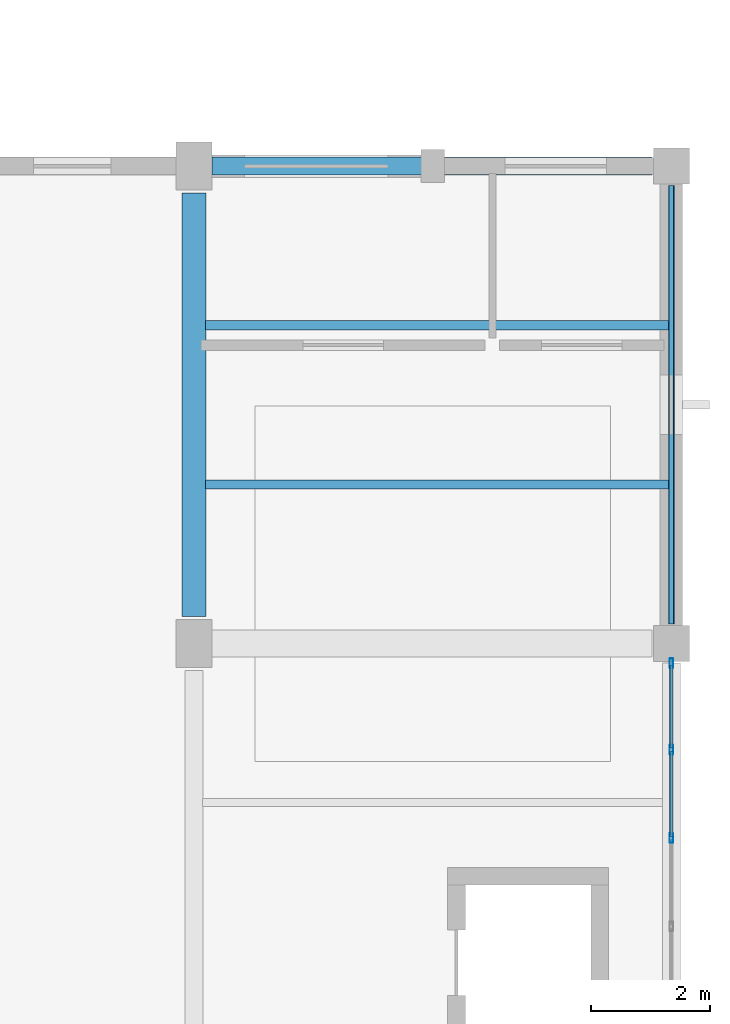
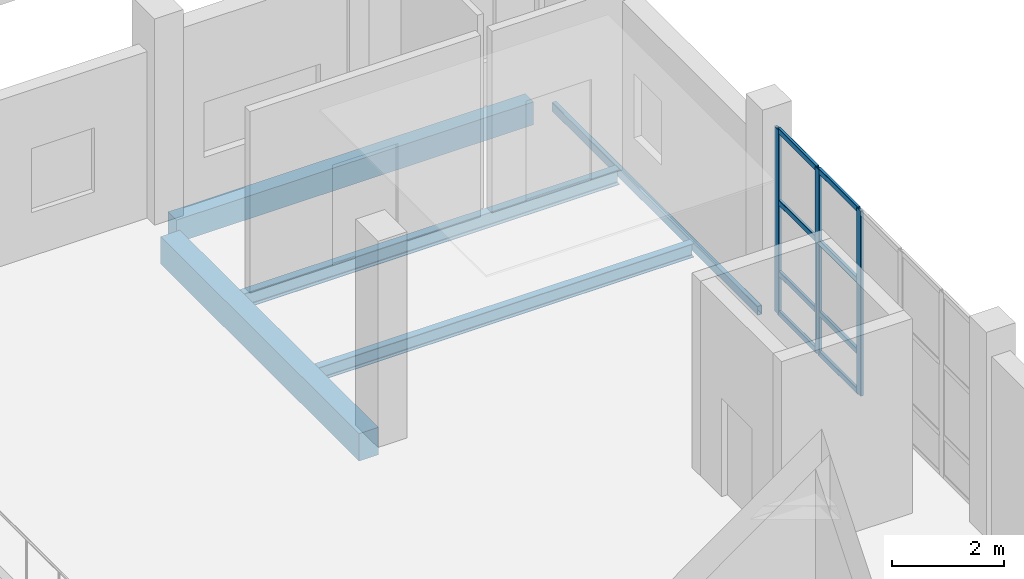
# One storey, part 103 of 183: 11 members, 5 beams, 1 element without a shape of its own.
"""IFC4 building model written with IfcOpenShell, lengths in metres."""

from ifc_helpers import new_model, si_unit, direction, frame, origin, origin_2d, place, context, subcontext, project, spatial, rectangle, hollow_rectangle, i_section, extrude, material, material_profile, profile_set, type_object, element, aggregate, save


model = new_model("IFC4")

# Units and contexts
model_context = context("Model", 3, precision=1e-05, world=origin(), true_north=direction((0.0, 1.0)))
body_context = subcontext(model_context, "Body", "Model", "MODEL_VIEW")
ifc_project = project(units=[si_unit("LENGTHUNIT", "METRE"), si_unit("AREAUNIT", "SQUARE_METRE"), si_unit("VOLUMEUNIT", "CUBIC_METRE"), si_unit("PLANEANGLEUNIT", "RADIAN"), si_unit("MASSUNIT", "GRAM", prefix="KILO")], contexts=[model_context])

# Site, building, storey
site_placement = place(None, origin())
site = spatial("IfcSite", under=ifc_project, at=site_placement, CompositionType="ELEMENT")
building_placement = place(site_placement, origin())
building = spatial("IfcBuilding", under=site, at=building_placement, Name="Luwemba Playhouse", CompositionType="ELEMENT")
storey_placement = place(building_placement, frame((0.0, 0.0, 4.800048828125)))
storey = spatial("IfcBuildingStorey", under=building, at=storey_placement, Name="L01", CompositionType="ELEMENT", Elevation=4.800048828125)

# Beams
ifc_material_1 = material(Name="Concrete C40/50", Category="concrete")
ifc_material_profile_1 = material_profile(ifc_material_1, rectangle(XDim=0.39990234375, YDim=0.60009765625, at=origin_2d()))
ifc_profile_set_1 = profile_set([ifc_material_profile_1], Name="Concrete C40/50")
beam_type_1 = type_object("IfcBeamType", Name="BM-RB01", PredefinedType="BEAM", material=ifc_profile_set_1)
beam_1_placement = place(storey_placement, frame((164.0, 52.449951171875, -0.550048828125), z_axis=(0.0, 1.0, 0.0), x_axis=(-1.0, 0.0, 0.0)))
element("IfcBeam", 1, at=beam_1_placement, inside=storey, type_object=beam_type_1, Name="L01 transverse girder 0432", PredefinedType="BEAM", context=body_context, shape_type="SweptSolid", body=[
    extrude(rectangle(XDim=0.39990234375, YDim=0.60009765625, at=origin_2d()), origin(), (0.0, 0.0, 1.0), 7.10009765625),
])
ifc_material_2 = material(Name="Steel S355", Category="steel")
ifc_material_profile_2 = material_profile(ifc_material_2, i_section(OverallWidth=0.14990234375, OverallDepth=0.300048828125, WebThickness=0.007080078125, FlangeThickness=0.0107421875, FilletRadius=0.014892578125, at=origin_2d()))
ifc_profile_set_2 = profile_set([ifc_material_profile_2], Name="Steel S355")
beam_type_2 = type_object("IfcBeamType", Name="BM-SJ05", PredefinedType="JOIST", material=ifc_profile_set_2)
beam_2_placement = place(storey_placement, frame((164.196044921875, 54.666748046875, -0.400146484375), z_axis=(1.0, 0.0, 0.0), x_axis=(0.0, 1.0, 0.0)))
element("IfcBeam", 2, at=beam_2_placement, inside=storey, type_object=beam_type_2, Name="L01 composite floor joist 0264", PredefinedType="JOIST", context=body_context, shape_type="SweptSolid", body=[
    extrude(i_section(OverallWidth=0.14990234375, OverallDepth=0.300048828125, WebThickness=0.007080078125, FlangeThickness=0.0107421875, FilletRadius=0.014892578125, at=origin_2d()), origin(), (0.0, 0.0, 1.0), 7.758056640625),
])
ifc_material_profile_3 = material_profile(ifc_material_2, i_section(OverallWidth=0.159912109375, OverallDepth=0.330078125, WebThickness=0.007568359375, FlangeThickness=0.011474609375, FilletRadius=0.01806640625, at=origin_2d()))
ifc_profile_set_3 = profile_set([ifc_material_profile_3], Name="Steel S355")
beam_type_3 = type_object("IfcBeamType", Name="BM-SJ06", PredefinedType="JOIST", material=ifc_profile_set_3)
beam_3_placement = place(storey_placement, frame((164.196044921875, 57.333251953125, -0.4150390625), z_axis=(1.0, 0.0, 0.0), x_axis=(0.0, 1.0, 0.0)))
element("IfcBeam", 3, at=beam_3_placement, inside=storey, type_object=beam_type_3, Name="L01 composite floor joist 0265", PredefinedType="JOIST", context=body_context, shape_type="SweptSolid", body=[
    extrude(i_section(OverallWidth=0.159912109375, OverallDepth=0.330078125, WebThickness=0.007568359375, FlangeThickness=0.011474609375, FilletRadius=0.01806640625, at=origin_2d()), origin(), (0.0, 0.0, 1.0), 7.758056640625),
])
ifc_material_profile_4 = material_profile(ifc_material_1, rectangle(XDim=0.300048828125, YDim=0.5, at=origin_2d()))
ifc_profile_set_4 = profile_set([ifc_material_profile_4], Name="Concrete C40/50")
beam_type_4 = type_object("IfcBeamType", Name="BM-SP1", PredefinedType="SPANDREL", material=ifc_profile_set_4)
beam_4_placement = place(storey_placement, frame((164.300048828125, 60.0, -0.5), z_axis=(1.0, 0.0, 0.0), x_axis=(0.0, 1.0, 0.0)))
element("IfcBeam", 4, at=beam_4_placement, inside=storey, type_object=beam_type_4, Name="L01 grid girder 0420", PredefinedType="SPANDREL", context=body_context, shape_type="SweptSolid", body=[
    extrude(rectangle(XDim=0.300048828125, YDim=0.5, at=origin_2d()), origin(), (0.0, 0.0, 1.0), 7.375),
])
ifc_material_profile_5 = material_profile(ifc_material_2, hollow_rectangle(XDim=0.10009765625, YDim=0.199951171875, WallThickness=0.008056640625, InnerFilletRadius=0.011962890625, OuterFilletRadius=0.02001953125, at=origin_2d()))
ifc_profile_set_5 = profile_set([ifc_material_profile_5], Name="Steel S355")
beam_type_5 = type_object("IfcBeamType", Name="BM-SSP2", PredefinedType="SPANDREL", material=ifc_profile_set_5)
beam_5_placement = place(storey_placement, frame((172.0, 52.324951171875, -0.35009765625), z_axis=(0.0, 1.0, 0.0), x_axis=(-1.0, 0.0, 0.0)))
element("IfcBeam", 5, at=beam_5_placement, inside=storey, type_object=beam_type_5, Name="L01 transverse girder 0435", PredefinedType="SPANDREL", context=body_context, shape_type="SweptSolid", body=[
    extrude(hollow_rectangle(XDim=0.10009765625, YDim=0.199951171875, WallThickness=0.008056640625, InnerFilletRadius=0.011962890625, OuterFilletRadius=0.02001953125, at=origin_2d()), origin(), (0.0, 0.0, 1.0), 7.35009765625),
])

# Curtain wall, members
ifc_material_3 = material(Name="Solar-control double glazing", Category="glass")
curtain_wall_type = type_object("IfcCurtainWallType", Name="CW-CW80", PredefinedType="USERDEFINED", material=ifc_material_3)
curtain_wall_placement = place(storey_placement, origin())
curtain_wall = element("IfcCurtainWall", 6, at=curtain_wall_placement, inside=storey, type_object=curtain_wall_type, Name="L01 V3 unitised curtain wall 106", ObjectType="UNITISED GLAZING", PredefinedType="USERDEFINED")
ifc_material_4 = material(Name="Aluminium 6063-T6", Category="aluminium")
ifc_material_profile_6 = material_profile(ifc_material_4, hollow_rectangle(XDim=0.06005859375, YDim=0.159912109375, WallThickness=0.00390625, InnerFilletRadius=0.006103515625, OuterFilletRadius=0.010009765625, at=origin_2d()))
ifc_profile_set_6 = profile_set([ifc_material_profile_6], Name="Aluminium 6063-T6")
member_type_1 = type_object("IfcMemberType", Name="CWM-M1", PredefinedType="MULLION", material=ifc_profile_set_6)
member_1_placement = place(storey_placement, frame((172.0, 51.669921875, 0.0), z_axis=(0.0, 0.0, 1.0), x_axis=(1.0, 0.0, 0.0)))
member_1 = element("IfcMember", 7, at=member_1_placement, type_object=member_type_1, Name="CW80 mullion 1", PredefinedType="MULLION", context=body_context, shape_type="SweptSolid", body=[
    extrude(hollow_rectangle(XDim=0.06005859375, YDim=0.159912109375, WallThickness=0.00390625, InnerFilletRadius=0.006103515625, OuterFilletRadius=0.010009765625, at=origin_2d()), origin(), (0.0, 0.0, 1.0), 4.034912109375),
])
member_2_placement = place(storey_placement, frame((172.0, 50.219970703125, 0.0), z_axis=(0.0, 0.0, 1.0), x_axis=(1.0, 0.0, 0.0)))
member_2 = element("IfcMember", 8, at=member_2_placement, type_object=member_type_1, Name="CW80 mullion 2", PredefinedType="MULLION", context=body_context, shape_type="SweptSolid", body=[
    extrude(hollow_rectangle(XDim=0.06005859375, YDim=0.159912109375, WallThickness=0.00390625, InnerFilletRadius=0.006103515625, OuterFilletRadius=0.010009765625, at=origin_2d()), origin(), (0.0, 0.0, 1.0), 4.034912109375),
])
member_3_placement = place(storey_placement, frame((172.0, 48.739990234375, 0.0), z_axis=(0.0, 0.0, 1.0), x_axis=(1.0, 0.0, 0.0)))
member_3 = element("IfcMember", 9, at=member_3_placement, type_object=member_type_1, Name="CW80 mullion 3", PredefinedType="MULLION", context=body_context, shape_type="SweptSolid", body=[
    extrude(hollow_rectangle(XDim=0.06005859375, YDim=0.159912109375, WallThickness=0.00390625, InnerFilletRadius=0.006103515625, OuterFilletRadius=0.010009765625, at=origin_2d()), origin(), (0.0, 0.0, 1.0), 4.034912109375),
])
ifc_material_profile_7 = material_profile(ifc_material_4, hollow_rectangle(XDim=0.06005859375, YDim=0.1201171875, WallThickness=0.00390625, InnerFilletRadius=0.006103515625, OuterFilletRadius=0.010009765625, at=origin_2d()))
ifc_profile_set_7 = profile_set([ifc_material_profile_7], Name="Aluminium 6063-T6")
member_type_2 = type_object("IfcMemberType", Name="CWT-T1", PredefinedType="USERDEFINED", material=ifc_profile_set_7)
member_4_placement = place(storey_placement, frame((172.0, 51.639892578125, 0.030029296875), z_axis=(0.0, -1.0, 0.0), x_axis=(1.0, 0.0, 0.0)))
member_4 = element("IfcMember", 10, at=member_4_placement, type_object=member_type_2, Name="CW80 transom 1.1", ObjectType="TRANSOM", PredefinedType="USERDEFINED", context=body_context, shape_type="SweptSolid", body=[
    extrude(hollow_rectangle(XDim=0.06005859375, YDim=0.1201171875, WallThickness=0.00390625, InnerFilletRadius=0.006103515625, OuterFilletRadius=0.010009765625, at=origin_2d()), origin(), (0.0, 0.0, 1.0), 1.389892578125),
])
member_5_placement = place(storey_placement, frame((172.0, 51.639892578125, 0.89990234375), z_axis=(0.0, -1.0, 0.0), x_axis=(1.0, 0.0, 0.0)))
member_5 = element("IfcMember", 11, at=member_5_placement, type_object=member_type_2, Name="CW80 transom 1.2", ObjectType="TRANSOM", PredefinedType="USERDEFINED", context=body_context, shape_type="SweptSolid", body=[
    extrude(hollow_rectangle(XDim=0.06005859375, YDim=0.1201171875, WallThickness=0.00390625, InnerFilletRadius=0.006103515625, OuterFilletRadius=0.010009765625, at=origin_2d()), origin(), (0.0, 0.0, 1.0), 1.389892578125),
])
member_6_placement = place(storey_placement, frame((172.0, 51.639892578125, 2.449951171875), z_axis=(0.0, -1.0, 0.0), x_axis=(1.0, 0.0, 0.0)))
member_6 = element("IfcMember", 12, at=member_6_placement, type_object=member_type_2, Name="CW80 transom 1.3", ObjectType="TRANSOM", PredefinedType="USERDEFINED", context=body_context, shape_type="SweptSolid", body=[
    extrude(hollow_rectangle(XDim=0.06005859375, YDim=0.1201171875, WallThickness=0.00390625, InnerFilletRadius=0.006103515625, OuterFilletRadius=0.010009765625, at=origin_2d()), origin(), (0.0, 0.0, 1.0), 1.389892578125),
])
member_7_placement = place(storey_placement, frame((172.0, 51.639892578125, 4.0048828125), z_axis=(0.0, -1.0, 0.0), x_axis=(1.0, 0.0, 0.0)))
member_7 = element("IfcMember", 13, at=member_7_placement, type_object=member_type_2, Name="CW80 transom 1.4", ObjectType="TRANSOM", PredefinedType="USERDEFINED", context=body_context, shape_type="SweptSolid", body=[
    extrude(hollow_rectangle(XDim=0.06005859375, YDim=0.1201171875, WallThickness=0.00390625, InnerFilletRadius=0.006103515625, OuterFilletRadius=0.010009765625, at=origin_2d()), origin(), (0.0, 0.0, 1.0), 1.389892578125),
])
member_8_placement = place(storey_placement, frame((172.0, 50.18994140625, 0.030029296875), z_axis=(0.0, -1.0, 0.0), x_axis=(1.0, 0.0, 0.0)))
member_8 = element("IfcMember", 14, at=member_8_placement, type_object=member_type_2, Name="CW80 transom 2.1", ObjectType="TRANSOM", PredefinedType="USERDEFINED", context=body_context, shape_type="SweptSolid", body=[
    extrude(hollow_rectangle(XDim=0.06005859375, YDim=0.1201171875, WallThickness=0.00390625, InnerFilletRadius=0.006103515625, OuterFilletRadius=0.010009765625, at=origin_2d()), origin(), (0.0, 0.0, 1.0), 1.419921875),
])
member_9_placement = place(storey_placement, frame((172.0, 50.18994140625, 0.89990234375), z_axis=(0.0, -1.0, 0.0), x_axis=(1.0, 0.0, 0.0)))
member_9 = element("IfcMember", 15, at=member_9_placement, type_object=member_type_2, Name="CW80 transom 2.2", ObjectType="TRANSOM", PredefinedType="USERDEFINED", context=body_context, shape_type="SweptSolid", body=[
    extrude(hollow_rectangle(XDim=0.06005859375, YDim=0.1201171875, WallThickness=0.00390625, InnerFilletRadius=0.006103515625, OuterFilletRadius=0.010009765625, at=origin_2d()), origin(), (0.0, 0.0, 1.0), 1.419921875),
])
member_10_placement = place(storey_placement, frame((172.0, 50.18994140625, 2.449951171875), z_axis=(0.0, -1.0, 0.0), x_axis=(1.0, 0.0, 0.0)))
member_10 = element("IfcMember", 16, at=member_10_placement, type_object=member_type_2, Name="CW80 transom 2.3", ObjectType="TRANSOM", PredefinedType="USERDEFINED", context=body_context, shape_type="SweptSolid", body=[
    extrude(hollow_rectangle(XDim=0.06005859375, YDim=0.1201171875, WallThickness=0.00390625, InnerFilletRadius=0.006103515625, OuterFilletRadius=0.010009765625, at=origin_2d()), origin(), (0.0, 0.0, 1.0), 1.419921875),
])
member_11_placement = place(storey_placement, frame((172.0, 50.18994140625, 4.0048828125), z_axis=(0.0, -1.0, 0.0), x_axis=(1.0, 0.0, 0.0)))
member_11 = element("IfcMember", 17, at=member_11_placement, type_object=member_type_2, Name="CW80 transom 2.4", ObjectType="TRANSOM", PredefinedType="USERDEFINED", context=body_context, shape_type="SweptSolid", body=[
    extrude(hollow_rectangle(XDim=0.06005859375, YDim=0.1201171875, WallThickness=0.00390625, InnerFilletRadius=0.006103515625, OuterFilletRadius=0.010009765625, at=origin_2d()), origin(), (0.0, 0.0, 1.0), 1.419921875),
])
aggregate(curtain_wall, [member_1, member_2, member_3, member_4, member_5, member_6, member_7, member_8, member_9, member_10, member_11])

save(model, "model.ifc")
